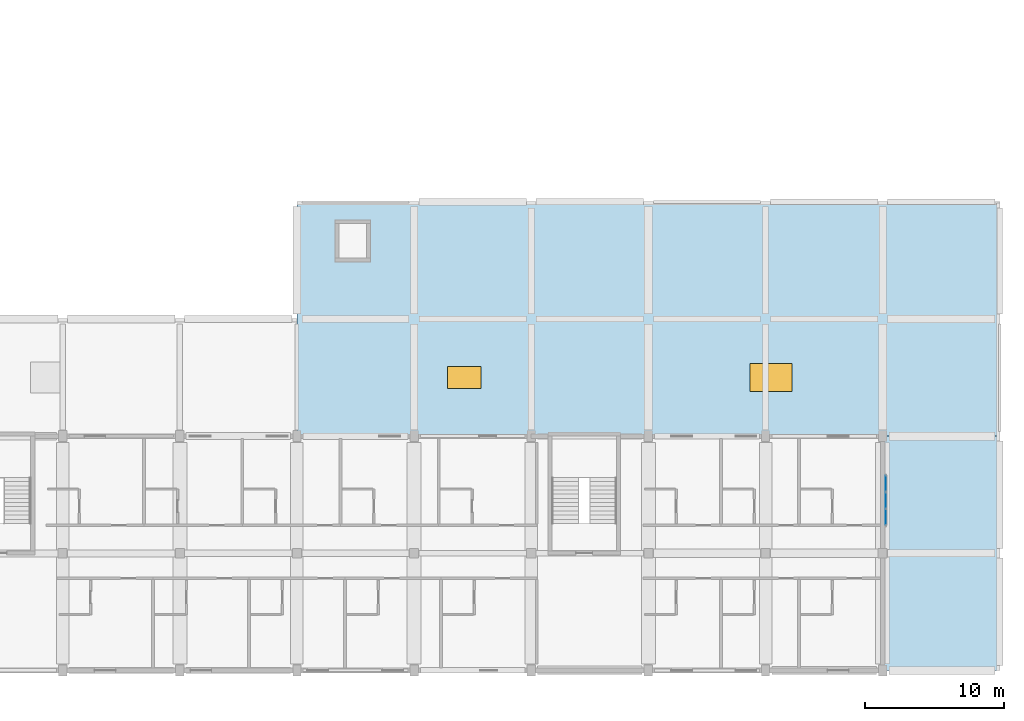
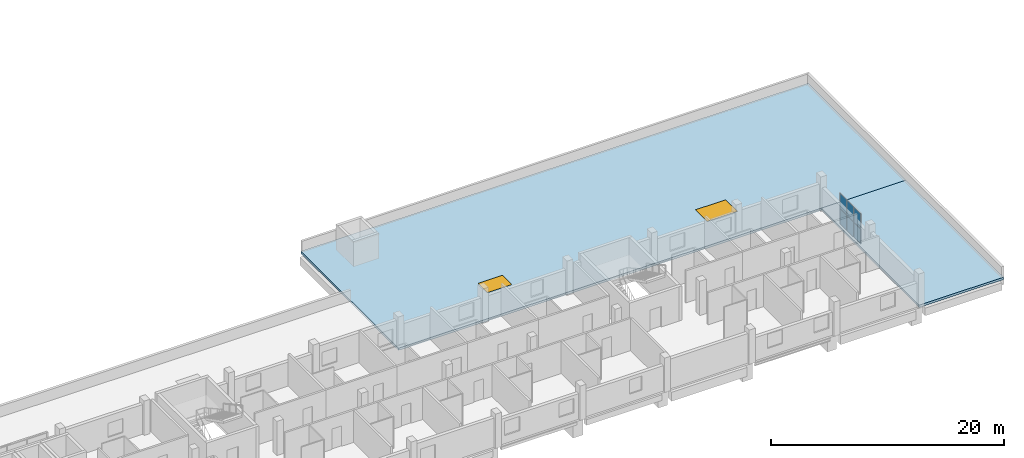
# One storey, part 16 of 42: 6 plates, 2 slabs, 2 windows, 2 openings, 1 element without a shape of its own.
"""IFC4 building model written with IfcOpenShell, lengths in metres."""

from ifc_helpers import new_model, si_unit, derived_unit, direction, frame, origin, origin_2d, place, context, subcontext, project, spatial, polyline, rectangle, outline, extrude, material, layer, layer_set, type_object, element, fill, aggregate, save


model = new_model("IFC4")

# Units and contexts
model_context = context("Model", 3, precision=1e-05, world=origin(), true_north=direction((0.0, 1.0)))
body_context = subcontext(model_context, "Body", "Model", "MODEL_VIEW")
ifc_project = project(units=[si_unit("LENGTHUNIT", "METRE"), si_unit("AREAUNIT", "SQUARE_METRE"), si_unit("VOLUMEUNIT", "CUBIC_METRE"), si_unit("PLANEANGLEUNIT", "RADIAN"), si_unit("MASSUNIT", "GRAM", prefix="KILO"), derived_unit("THERMALTRANSMITTANCEUNIT", [(si_unit("POWERUNIT", "WATT"), 1), (si_unit("LENGTHUNIT", "METRE"), -2), (si_unit("THERMODYNAMICTEMPERATUREUNIT", "KELVIN"), -1)])], contexts=[model_context])

# Site, building, storey
site_placement = place(None, origin())
site = spatial("IfcSite", under=ifc_project, at=site_placement, CompositionType="ELEMENT")
building_placement = place(site_placement, origin())
building = spatial("IfcBuilding", under=site, at=building_placement, Name="Barrovel Congress Hotel", CompositionType="ELEMENT")
storey_placement = place(building_placement, frame((0.0, 0.0, 18.300048828125)))
storey = spatial("IfcBuildingStorey", under=building, at=storey_placement, Name="L04", CompositionType="ELEMENT", Elevation=18.300048828125)

# Curtain wall, plates
ifc_material_1 = material(Name="Anodised Aluminium Alloy 6063-T6", Category="aluminium")
curtain_wall_type = type_object("IfcCurtainWallType", Name="CW-UN-3600x3200", PredefinedType="USERDEFINED", material=ifc_material_1)
curtain_wall_placement = place(storey_placement, origin())
curtain_wall = element("IfcCurtainWall", 1, at=curtain_wall_placement, inside=storey, type_object=curtain_wall_type, Name="CW:L04:UN-1", ObjectType="UNITISED CURTAIN WALL", PredefinedType="USERDEFINED")
ifc_material_2 = material(Name="Double Low-E Insulated Glazing", Category="glass")
ifc_layer_1 = layer(ifc_material_2, 0.031982421875)
ifc_layer_set_1 = layer_set([ifc_layer_1], Name="Double Low-E Insulated Glazing")
plate_type = type_object("IfcPlateType", Name="CWP-32", PredefinedType="CURTAIN_PANEL", material=ifc_layer_set_1)
plate_1_placement = place(storey_placement, frame((168.219970703125, 15.199951171875, 0.030029296875), z_axis=(0.0, 0.0, 1.0), x_axis=(0.0, 1.0, 0.0)))
plate_1 = element("IfcPlate", 2, at=plate_1_placement, type_object=plate_type, Name="CW:L04:UN-1:P0-0", PredefinedType="CURTAIN_PANEL", context=body_context, shape_type="SweptSolid", body=[
    extrude(rectangle(XDim=1.139892578125, YDim=0.031982421875, at=origin_2d()), origin(), (0.0, 0.0, 1.0), 1.56494140625),
])
plate_2_placement = place(storey_placement, frame((168.219970703125, 15.199951171875, 1.655029296875), z_axis=(0.0, 0.0, 1.0), x_axis=(0.0, 1.0, 0.0)))
plate_2 = element("IfcPlate", 3, at=plate_2_placement, type_object=plate_type, Name="CW:L04:UN-1:P0-1", PredefinedType="CURTAIN_PANEL", context=body_context, shape_type="SweptSolid", body=[
    extrude(rectangle(XDim=1.139892578125, YDim=0.031982421875, at=origin_2d()), origin(), (0.0, 0.0, 1.0), 1.56494140625),
])
plate_3_placement = place(storey_placement, frame((168.219970703125, 16.39990234375, 0.030029296875), z_axis=(0.0, 0.0, 1.0), x_axis=(0.0, 1.0, 0.0)))
plate_3 = element("IfcPlate", 4, at=plate_3_placement, type_object=plate_type, Name="CW:L04:UN-1:P1-0", PredefinedType="CURTAIN_PANEL", context=body_context, shape_type="SweptSolid", body=[
    extrude(rectangle(XDim=1.139892578125, YDim=0.031982421875, at=origin_2d()), origin(), (0.0, 0.0, 1.0), 1.56494140625),
])
plate_4_placement = place(storey_placement, frame((168.219970703125, 16.39990234375, 1.655029296875), z_axis=(0.0, 0.0, 1.0), x_axis=(0.0, 1.0, 0.0)))
plate_4 = element("IfcPlate", 5, at=plate_4_placement, type_object=plate_type, Name="CW:L04:UN-1:P1-1", PredefinedType="CURTAIN_PANEL", context=body_context, shape_type="SweptSolid", body=[
    extrude(rectangle(XDim=1.139892578125, YDim=0.031982421875, at=origin_2d()), origin(), (0.0, 0.0, 1.0), 1.56494140625),
])
plate_5_placement = place(storey_placement, frame((168.219970703125, 17.60009765625, 0.030029296875), z_axis=(0.0, 0.0, 1.0), x_axis=(0.0, 1.0, 0.0)))
plate_5 = element("IfcPlate", 6, at=plate_5_placement, type_object=plate_type, Name="CW:L04:UN-1:P2-0", PredefinedType="CURTAIN_PANEL", context=body_context, shape_type="SweptSolid", body=[
    extrude(rectangle(XDim=1.139892578125, YDim=0.031982421875, at=origin_2d()), origin(), (0.0, 0.0, 1.0), 1.56494140625),
])
plate_6_placement = place(storey_placement, frame((168.219970703125, 17.60009765625, 1.655029296875), z_axis=(0.0, 0.0, 1.0), x_axis=(0.0, 1.0, 0.0)))
plate_6 = element("IfcPlate", 7, at=plate_6_placement, type_object=plate_type, Name="CW:L04:UN-1:P2-1", PredefinedType="CURTAIN_PANEL", context=body_context, shape_type="SweptSolid", body=[
    extrude(rectangle(XDim=1.139892578125, YDim=0.031982421875, at=origin_2d()), origin(), (0.0, 0.0, 1.0), 1.56494140625),
])
aggregate(curtain_wall, [plate_1, plate_2, plate_3, plate_4, plate_5, plate_6])

# Slab, openings, windows
ifc_material_3 = material(Name="Concrete C35", Category="concrete")
ifc_layer_2 = layer(ifc_material_3, 0.239990234375)
ifc_layer_set_2 = layer_set([ifc_layer_2], Name="Concrete C35")
slab_type = type_object("IfcSlabType", Name="SL-R240", PredefinedType="ROOF", material=ifc_layer_set_2)
slab_1_placement = place(storey_placement, frame((0.0, 0.0, -0.239990234375)))
slab_1 = element("IfcSlab", 8, at=slab_1_placement, inside=storey, type_object=slab_type, Name="SLAB:L04:POD-ROOF-3", PredefinedType="ROOF", context=body_context, shape_type="SweptSolid", body=[
    extrude(outline(polyline([(126.0, 21.0), (176.39990234375, 21.0), (176.39990234375, 37.800048828125), (126.0, 37.800048828125), (126.0, 21.0)])), origin(), (0.0, 0.0, 1.0), 0.239990234375),
])
opening_1_placement = place(slab_1_placement, frame((138.0, 25.199951171875, -0.010009765625)))
opening_1 = element("IfcOpeningElement", 9, at=opening_1_placement, cuts=slab_1, Name="Opening SK-03", PredefinedType="OPENING", context=body_context, shape_type="SweptSolid", body=[
    extrude(rectangle(XDim=2.39990234375, YDim=1.60009765625, at=origin_2d()), origin(), (0.0, 0.0, 1.0), 0.260009765625),
])
opening_2_placement = place(slab_1_placement, frame((160.0, 25.199951171875, -0.010009765625)))
opening_2 = element("IfcOpeningElement", 10, at=opening_2_placement, cuts=slab_1, Name="Opening SK-04", PredefinedType="OPENING", context=body_context, shape_type="SweptSolid", body=[
    extrude(rectangle(XDim=3.0, YDim=2.0, at=origin_2d()), origin(), (0.0, 0.0, 1.0), 0.260009765625),
])
window_type_1 = type_object("IfcWindowType", Name="SKY-03", PartitioningType="SINGLE_PANEL", PredefinedType="SKYLIGHT", material=ifc_material_2)
window_1_placement = place(slab_1_placement, frame((138.0, 25.199951171875, 0.18994140625)))
window_1 = element("IfcWindow", 11, at=window_1_placement, inside=storey, type_object=window_type_1, Name="Curb-Mounted Roof Skylight SK-7", OverallHeight=1.60009765625, OverallWidth=2.39990234375, PartitioningType="SINGLE_PANEL", PredefinedType="SKYLIGHT", context=body_context, shape_type="SweptSolid", body=[
    extrude(rectangle(XDim=2.39990234375, YDim=1.60009765625, at=origin_2d()), origin(), (0.0, 0.0, 1.0), 0.050048828125),
])
fill(opening_1, window_1)
window_type_2 = type_object("IfcWindowType", Name="SKY-04", PartitioningType="SINGLE_PANEL", PredefinedType="SKYLIGHT", material=ifc_material_2)
window_2_placement = place(slab_1_placement, frame((160.0, 25.199951171875, 0.18994140625)))
window_2 = element("IfcWindow", 12, at=window_2_placement, inside=storey, type_object=window_type_2, Name="Curb-Mounted Roof Skylight SK-8", OverallHeight=2.0, OverallWidth=3.0, PartitioningType="SINGLE_PANEL", PredefinedType="SKYLIGHT", context=body_context, shape_type="SweptSolid", body=[
    extrude(rectangle(XDim=3.0, YDim=2.0, at=origin_2d()), origin(), (0.0, 0.0, 1.0), 0.050048828125),
])
fill(opening_2, window_2)

# Slab
slab_2_placement = place(storey_placement, frame((0.0, 0.0, -0.239990234375)))
element("IfcSlab", 13, at=slab_2_placement, inside=storey, type_object=slab_type, Name="SLAB:L04:POD-ROOF-4", PredefinedType="ROOF", context=body_context, shape_type="SweptSolid", body=[
    extrude(outline(polyline([(168.0, 4.199951171875), (176.39990234375, 4.199951171875), (176.39990234375, 21.0), (168.0, 21.0), (168.0, 4.199951171875)])), origin(), (0.0, 0.0, 1.0), 0.239990234375),
])

save(model, "model.ifc")
